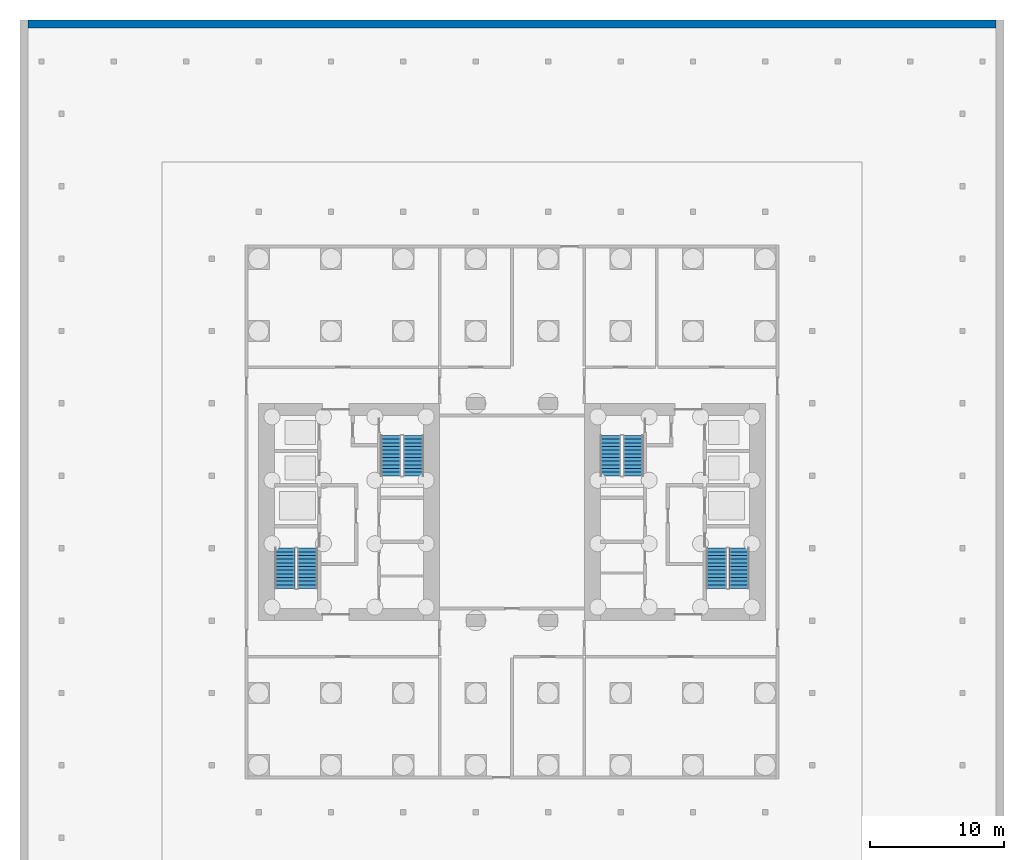
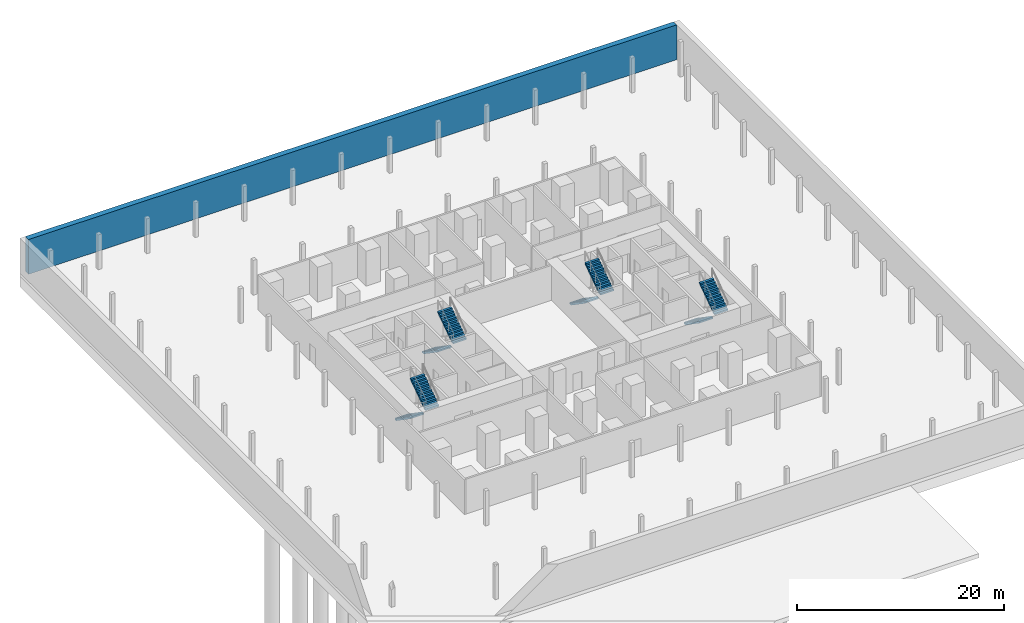
# One storey, part 6 of 8: 8 stair flights, 1 wall, 4 elements without a shape of their own.
"""IFC4 building model written with IfcOpenShell, lengths in metres."""

from ifc_helpers import new_model, si_unit, direction, frame, frame_2d, origin, place, context, subcontext, project, spatial, polyline, rectangle, outline, extrude, material, layer, layer_set, type_object, element, aggregate, save


model = new_model("IFC4")

# Units and contexts
model_context = context("Model", 3, precision=1e-05, world=origin(), true_north=direction((0.0, 1.0)))
body_context = subcontext(model_context, "Body", "Model", "MODEL_VIEW")
ifc_project = project(units=[si_unit("LENGTHUNIT", "METRE"), si_unit("AREAUNIT", "SQUARE_METRE"), si_unit("VOLUMEUNIT", "CUBIC_METRE"), si_unit("PLANEANGLEUNIT", "RADIAN"), si_unit("MASSUNIT", "GRAM", prefix="KILO")], contexts=[model_context])

# Site, building, storey
site_placement = place(None, origin())
site = spatial("IfcSite", under=ifc_project, at=site_placement, CompositionType="ELEMENT")
building_placement = place(site_placement, origin())
building = spatial("IfcBuilding", under=site, at=building_placement, Name="Tabaq Tower and Sports Hall", CompositionType="ELEMENT")
storey_placement = place(building_placement, frame((0.0, 0.0, -9.0)))
storey = spatial("IfcBuildingStorey", under=building, at=storey_placement, Name="B02", CompositionType="ELEMENT", Elevation=-9.0)

# Wall
ifc_material_1 = material(Name="Concrete C60/75", Category="concrete")
ifc_layer = layer(ifc_material_1, 0.60009765625)
ifc_layer_set = layer_set([ifc_layer], Name="RC RETAINING WALL 600 C60/75")
wall_type = type_object("IfcWallType", Name="RC RETAINING WALL 600 C60/75", PredefinedType="SOLIDWALL", material=ifc_layer_set)
wall_placement = place(storey_placement, frame((-11.800048828125, 60.699951171875, 0.0), z_axis=(0.0, 0.0, 1.0), x_axis=(1.0, 0.0, 0.0)))
element("IfcWall", 1, at=wall_placement, inside=storey, type_object=wall_type, Name="Retaining Wall North B02", PredefinedType="SOLIDWALL", context=body_context, shape_type="SweptSolid", body=[
    extrude(rectangle(XDim=72.199951171875, YDim=0.60009765625, at=frame_2d((36.10009765625, 0.0))), origin(), (0.0, 0.0, 1.0), 4.10009765625),
])

# Stair, stair flights
ifc_material_2 = material(Name="Concrete C40/50", Category="concrete")
stair_type = type_object("IfcStairType", Name="Exit stair", PredefinedType="HALF_TURN_STAIR", material=ifc_material_2)
stair_1_placement = place(storey_placement, origin())
stair_1 = element("IfcStair", 2, at=stair_1_placement, inside=storey, type_object=stair_type, Name="B02 Exit stair ST1", PredefinedType="HALF_TURN_STAIR")
ifc_material_3 = material(Name="Concrete C40/50", Category="concrete")
stair_flight_type = type_object("IfcStairFlightType", Name="Exit stair flight", PredefinedType="STRAIGHT", material=ifc_material_3)
stair_flight_1_placement = place(storey_placement, frame((7.35009765625, 21.60009765625, 0.0), z_axis=(0.0, 0.0, 1.0), x_axis=(0.0, -1.0, 0.0)))
stair_flight_1 = element("IfcStairFlight", 3, at=stair_flight_1_placement, type_object=stair_flight_type, Name="ST1 flight 1", NumberOfRisers=12, NumberOfTreads=11, PredefinedType="STRAIGHT", RiserHeight=0.1875, TreadLength=0.272727273, context=body_context, shape_type="SweptSolid", body=[
    extrude(outline(polyline([(0.0, 0.0), (0.0, 0.1875), (0.272705078125, 0.1875), (0.272705078125, 0.375), (0.54541015625, 0.375), (0.54541015625, 0.5625), (0.818115234375, 0.5625), (0.818115234375, 0.75), (1.0908203125, 0.75), (1.0908203125, 0.9375), (1.363525390625, 0.9375), (1.363525390625, 1.125), (1.636474609375, 1.125), (1.636474609375, 1.3125), (1.9091796875, 1.3125), (1.9091796875, 1.5), (2.181884765625, 1.5), (2.181884765625, 1.6875), (2.45458984375, 1.6875), (2.45458984375, 1.875), (2.727294921875, 1.875), (2.727294921875, 2.0625), (3.0, 2.0625), (3.0, 2.25), (3.0, 1.880615234375), (0.2646484375, 0.0), (0.0, 0.0)])), frame((0.0, 0.75, 0.0), z_axis=(0.0, -1.0, 0.0), x_axis=(1.0, 0.0, 0.0)), (0.0, 0.0, 1.0), 1.5),
])
stair_flight_2_placement = place(storey_placement, frame((9.050048828125, 18.60009765625, 2.25), z_axis=(0.0, 0.0, 1.0), x_axis=(0.0, 1.0, 0.0)))
stair_flight_2 = element("IfcStairFlight", 4, at=stair_flight_2_placement, type_object=stair_flight_type, Name="ST1 flight 2", NumberOfRisers=12, NumberOfTreads=11, PredefinedType="STRAIGHT", RiserHeight=0.1875, TreadLength=0.272727273, context=body_context, shape_type="SweptSolid", body=[
    extrude(outline(polyline([(0.0, 0.0), (0.0, 0.1875), (0.272705078125, 0.1875), (0.272705078125, 0.375), (0.54541015625, 0.375), (0.54541015625, 0.5625), (0.818115234375, 0.5625), (0.818115234375, 0.75), (1.0908203125, 0.75), (1.0908203125, 0.9375), (1.363525390625, 0.9375), (1.363525390625, 1.125), (1.636474609375, 1.125), (1.636474609375, 1.3125), (1.9091796875, 1.3125), (1.9091796875, 1.5), (2.181884765625, 1.5), (2.181884765625, 1.6875), (2.45458984375, 1.6875), (2.45458984375, 1.875), (2.727294921875, 1.875), (2.727294921875, 2.0625), (3.0, 2.0625), (3.0, 2.25), (3.0, 1.880615234375), (0.2646484375, 0.0), (0.0, 0.0)])), frame((0.0, 0.75, 0.0), z_axis=(0.0, -1.0, 0.0), x_axis=(1.0, 0.0, 0.0)), (0.0, 0.0, 1.0), 1.5),
])
aggregate(stair_1, [stair_flight_1, stair_flight_2])

stair_2_placement = place(storey_placement, origin())
stair_2 = element("IfcStair", 5, at=stair_2_placement, inside=storey, type_object=stair_type, Name="B02 Exit stair ST2", PredefinedType="HALF_TURN_STAIR")
stair_flight_3_placement = place(storey_placement, frame((15.25, 30.0, 0.0), z_axis=(0.0, 0.0, 1.0), x_axis=(0.0, -1.0, 0.0)))
stair_flight_3 = element("IfcStairFlight", 6, at=stair_flight_3_placement, type_object=stair_flight_type, Name="ST2 flight 1", NumberOfRisers=12, NumberOfTreads=11, PredefinedType="STRAIGHT", RiserHeight=0.1875, TreadLength=0.272727273, context=body_context, shape_type="SweptSolid", body=[
    extrude(outline(polyline([(0.0, 0.0), (0.0, 0.1875), (0.272705078125, 0.1875), (0.272705078125, 0.375), (0.54541015625, 0.375), (0.54541015625, 0.5625), (0.818115234375, 0.5625), (0.818115234375, 0.75), (1.0908203125, 0.75), (1.0908203125, 0.9375), (1.363525390625, 0.9375), (1.363525390625, 1.125), (1.636474609375, 1.125), (1.636474609375, 1.3125), (1.9091796875, 1.3125), (1.9091796875, 1.5), (2.181884765625, 1.5), (2.181884765625, 1.6875), (2.45458984375, 1.6875), (2.45458984375, 1.875), (2.727294921875, 1.875), (2.727294921875, 2.0625), (3.0, 2.0625), (3.0, 2.25), (3.0, 1.880615234375), (0.2646484375, 0.0), (0.0, 0.0)])), frame((0.0, 0.75, 0.0), z_axis=(0.0, -1.0, 0.0), x_axis=(1.0, 0.0, 0.0)), (0.0, 0.0, 1.0), 1.5),
])
stair_flight_4_placement = place(storey_placement, frame((16.949951171875, 27.0, 2.25), z_axis=(0.0, 0.0, 1.0), x_axis=(0.0, 1.0, 0.0)))
stair_flight_4 = element("IfcStairFlight", 7, at=stair_flight_4_placement, type_object=stair_flight_type, Name="ST2 flight 2", NumberOfRisers=12, NumberOfTreads=11, PredefinedType="STRAIGHT", RiserHeight=0.1875, TreadLength=0.272727273, context=body_context, shape_type="SweptSolid", body=[
    extrude(outline(polyline([(0.0, 0.0), (0.0, 0.1875), (0.272705078125, 0.1875), (0.272705078125, 0.375), (0.54541015625, 0.375), (0.54541015625, 0.5625), (0.818115234375, 0.5625), (0.818115234375, 0.75), (1.0908203125, 0.75), (1.0908203125, 0.9375), (1.363525390625, 0.9375), (1.363525390625, 1.125), (1.636474609375, 1.125), (1.636474609375, 1.3125), (1.9091796875, 1.3125), (1.9091796875, 1.5), (2.181884765625, 1.5), (2.181884765625, 1.6875), (2.45458984375, 1.6875), (2.45458984375, 1.875), (2.727294921875, 1.875), (2.727294921875, 2.0625), (3.0, 2.0625), (3.0, 2.25), (3.0, 1.880615234375), (0.2646484375, 0.0), (0.0, 0.0)])), frame((0.0, 0.75, 0.0), z_axis=(0.0, -1.0, 0.0), x_axis=(1.0, 0.0, 0.0)), (0.0, 0.0, 1.0), 1.5),
])
aggregate(stair_2, [stair_flight_3, stair_flight_4])

stair_3_placement = place(storey_placement, origin())
stair_3 = element("IfcStair", 8, at=stair_3_placement, inside=storey, type_object=stair_type, Name="B02 Exit stair ST3", PredefinedType="HALF_TURN_STAIR")
stair_flight_5_placement = place(storey_placement, frame((39.550048828125, 21.60009765625, 0.0), z_axis=(0.0, 0.0, 1.0), x_axis=(0.0, -1.0, 0.0)))
stair_flight_5 = element("IfcStairFlight", 9, at=stair_flight_5_placement, type_object=stair_flight_type, Name="ST3 flight 1", NumberOfRisers=12, NumberOfTreads=11, PredefinedType="STRAIGHT", RiserHeight=0.1875, TreadLength=0.272727273, context=body_context, shape_type="SweptSolid", body=[
    extrude(outline(polyline([(0.0, 0.0), (0.0, 0.1875), (0.272705078125, 0.1875), (0.272705078125, 0.375), (0.54541015625, 0.375), (0.54541015625, 0.5625), (0.818115234375, 0.5625), (0.818115234375, 0.75), (1.0908203125, 0.75), (1.0908203125, 0.9375), (1.363525390625, 0.9375), (1.363525390625, 1.125), (1.636474609375, 1.125), (1.636474609375, 1.3125), (1.9091796875, 1.3125), (1.9091796875, 1.5), (2.181884765625, 1.5), (2.181884765625, 1.6875), (2.45458984375, 1.6875), (2.45458984375, 1.875), (2.727294921875, 1.875), (2.727294921875, 2.0625), (3.0, 2.0625), (3.0, 2.25), (3.0, 1.880615234375), (0.2646484375, 0.0), (0.0, 0.0)])), frame((0.0, 0.75, 0.0), z_axis=(0.0, -1.0, 0.0), x_axis=(1.0, 0.0, 0.0)), (0.0, 0.0, 1.0), 1.5),
])
stair_flight_6_placement = place(storey_placement, frame((41.25, 18.60009765625, 2.25), z_axis=(0.0, 0.0, 1.0), x_axis=(0.0, 1.0, 0.0)))
stair_flight_6 = element("IfcStairFlight", 10, at=stair_flight_6_placement, type_object=stair_flight_type, Name="ST3 flight 2", NumberOfRisers=12, NumberOfTreads=11, PredefinedType="STRAIGHT", RiserHeight=0.1875, TreadLength=0.272727273, context=body_context, shape_type="SweptSolid", body=[
    extrude(outline(polyline([(0.0, 0.0), (0.0, 0.1875), (0.272705078125, 0.1875), (0.272705078125, 0.375), (0.54541015625, 0.375), (0.54541015625, 0.5625), (0.818115234375, 0.5625), (0.818115234375, 0.75), (1.0908203125, 0.75), (1.0908203125, 0.9375), (1.363525390625, 0.9375), (1.363525390625, 1.125), (1.636474609375, 1.125), (1.636474609375, 1.3125), (1.9091796875, 1.3125), (1.9091796875, 1.5), (2.181884765625, 1.5), (2.181884765625, 1.6875), (2.45458984375, 1.6875), (2.45458984375, 1.875), (2.727294921875, 1.875), (2.727294921875, 2.0625), (3.0, 2.0625), (3.0, 2.25), (3.0, 1.880615234375), (0.2646484375, 0.0), (0.0, 0.0)])), frame((0.0, 0.75, 0.0), z_axis=(0.0, -1.0, 0.0), x_axis=(1.0, 0.0, 0.0)), (0.0, 0.0, 1.0), 1.5),
])
aggregate(stair_3, [stair_flight_5, stair_flight_6])

stair_4_placement = place(storey_placement, origin())
stair_4 = element("IfcStair", 11, at=stair_4_placement, inside=storey, type_object=stair_type, Name="B02 Exit stair ST4", PredefinedType="HALF_TURN_STAIR")
stair_flight_7_placement = place(storey_placement, frame((31.64990234375, 30.0, 0.0), z_axis=(0.0, 0.0, 1.0), x_axis=(0.0, -1.0, 0.0)))
stair_flight_7 = element("IfcStairFlight", 12, at=stair_flight_7_placement, type_object=stair_flight_type, Name="ST4 flight 1", NumberOfRisers=12, NumberOfTreads=11, PredefinedType="STRAIGHT", RiserHeight=0.1875, TreadLength=0.272727273, context=body_context, shape_type="SweptSolid", body=[
    extrude(outline(polyline([(0.0, 0.0), (0.0, 0.1875), (0.272705078125, 0.1875), (0.272705078125, 0.375), (0.54541015625, 0.375), (0.54541015625, 0.5625), (0.818115234375, 0.5625), (0.818115234375, 0.75), (1.0908203125, 0.75), (1.0908203125, 0.9375), (1.363525390625, 0.9375), (1.363525390625, 1.125), (1.636474609375, 1.125), (1.636474609375, 1.3125), (1.9091796875, 1.3125), (1.9091796875, 1.5), (2.181884765625, 1.5), (2.181884765625, 1.6875), (2.45458984375, 1.6875), (2.45458984375, 1.875), (2.727294921875, 1.875), (2.727294921875, 2.0625), (3.0, 2.0625), (3.0, 2.25), (3.0, 1.880615234375), (0.2646484375, 0.0), (0.0, 0.0)])), frame((0.0, 0.75, 0.0), z_axis=(0.0, -1.0, 0.0), x_axis=(1.0, 0.0, 0.0)), (0.0, 0.0, 1.0), 1.5),
])
stair_flight_8_placement = place(storey_placement, frame((33.35009765625, 27.0, 2.25), z_axis=(0.0, 0.0, 1.0), x_axis=(0.0, 1.0, 0.0)))
stair_flight_8 = element("IfcStairFlight", 13, at=stair_flight_8_placement, type_object=stair_flight_type, Name="ST4 flight 2", NumberOfRisers=12, NumberOfTreads=11, PredefinedType="STRAIGHT", RiserHeight=0.1875, TreadLength=0.272727273, context=body_context, shape_type="SweptSolid", body=[
    extrude(outline(polyline([(0.0, 0.0), (0.0, 0.1875), (0.272705078125, 0.1875), (0.272705078125, 0.375), (0.54541015625, 0.375), (0.54541015625, 0.5625), (0.818115234375, 0.5625), (0.818115234375, 0.75), (1.0908203125, 0.75), (1.0908203125, 0.9375), (1.363525390625, 0.9375), (1.363525390625, 1.125), (1.636474609375, 1.125), (1.636474609375, 1.3125), (1.9091796875, 1.3125), (1.9091796875, 1.5), (2.181884765625, 1.5), (2.181884765625, 1.6875), (2.45458984375, 1.6875), (2.45458984375, 1.875), (2.727294921875, 1.875), (2.727294921875, 2.0625), (3.0, 2.0625), (3.0, 2.25), (3.0, 1.880615234375), (0.2646484375, 0.0), (0.0, 0.0)])), frame((0.0, 0.75, 0.0), z_axis=(0.0, -1.0, 0.0), x_axis=(1.0, 0.0, 0.0)), (0.0, 0.0, 1.0), 1.5),
])
aggregate(stair_4, [stair_flight_7, stair_flight_8])

save(model, "model.ifc")
